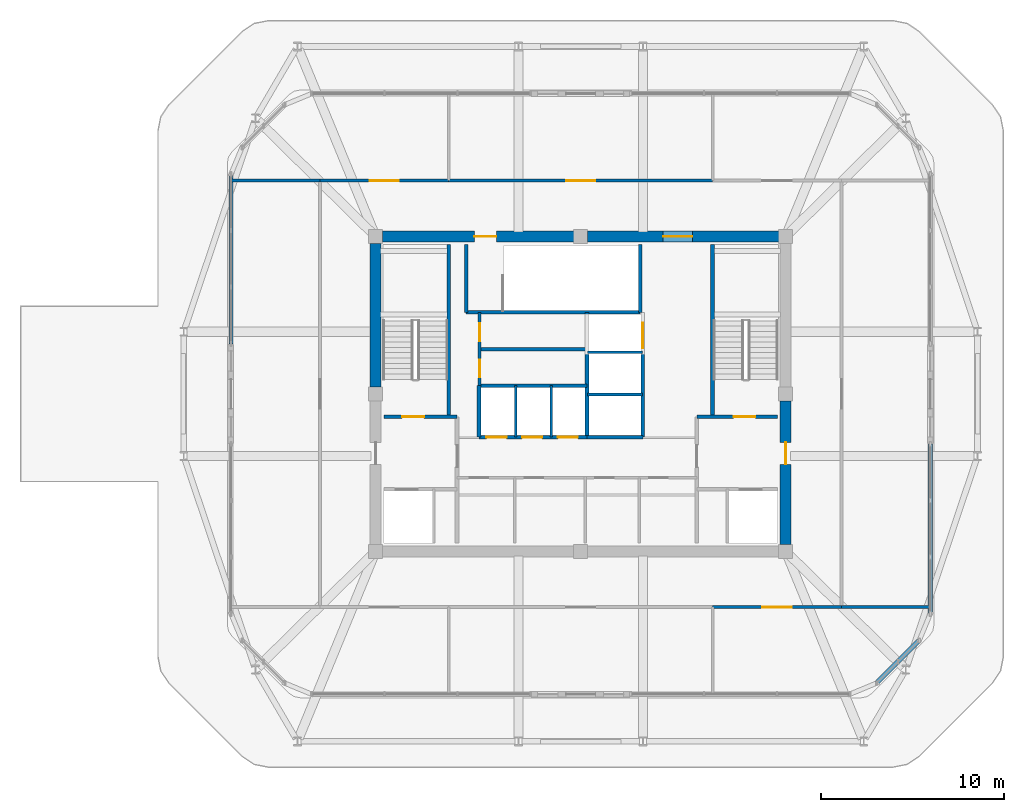
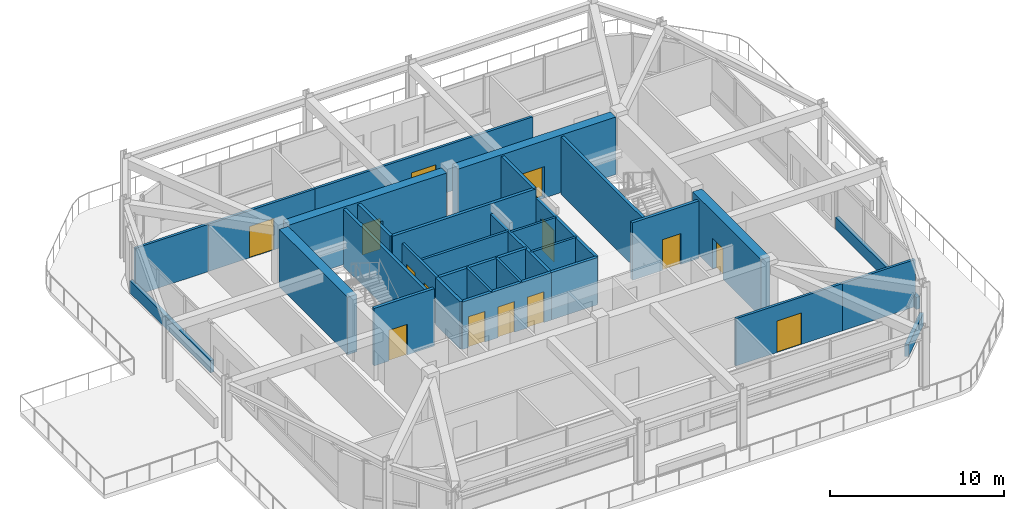
# One storey, part 6 of 10: 31 walls, 14 doors, 14 openings.
"""IFC4 building model written with IfcOpenShell, lengths in metres."""

from ifc_helpers import new_model, si_unit, derived_unit, direction, frame, frame_2d, origin, place, context, subcontext, project, spatial, rectangle, extrude, material, layer, layer_set, type_object, element, fill, save


model = new_model("IFC4")

# Units and contexts
model_context = context("Model", 3, precision=1e-05, world=origin(), true_north=direction((0.0, 1.0)))
body_context = subcontext(model_context, "Body", "Model", "MODEL_VIEW")
ifc_project = project(units=[si_unit("LENGTHUNIT", "METRE"), si_unit("AREAUNIT", "SQUARE_METRE"), si_unit("VOLUMEUNIT", "CUBIC_METRE"), si_unit("PLANEANGLEUNIT", "RADIAN"), si_unit("MASSUNIT", "GRAM", prefix="KILO"), derived_unit("THERMALTRANSMITTANCEUNIT", [(si_unit("POWERUNIT", "WATT"), 1), (si_unit("LENGTHUNIT", "METRE"), -2), (si_unit("THERMODYNAMICTEMPERATUREUNIT", "KELVIN"), -1)])], contexts=[model_context])

# Site, building, storey
site_placement = place(None, origin())
site = spatial("IfcSite", under=ifc_project, at=site_placement, CompositionType="ELEMENT")
building_placement = place(site_placement, origin())
building = spatial("IfcBuilding", under=site, at=building_placement, Name="Koralith Skygarden Medical Center", CompositionType="ELEMENT")
storey_placement = place(building_placement, frame((0.0, 0.0, 294.659912109375)))
storey = spatial("IfcBuildingStorey", under=building, at=storey_placement, Name="L76", CompositionType="ELEMENT", Elevation=294.659912109375)

# Walls
ifc_material_1 = material(Name="Gypsum Board Partition")
ifc_layer_1 = layer(ifc_material_1, 0.1650390625)
ifc_layer_set_1 = layer_set([ifc_layer_1], Name="Gypsum Board Partition")
wall_type_1 = type_object("IfcWallType", Name="Clinical Corridor Partition 165", PredefinedType="PARTITIONING", material=ifc_layer_set_1)
for number, where, z_axis, x_axis, name in (
    (1, (17.919921875, 37.550048828125, 0.0), (0.0, 0.0, 1.0), (1.0, 0.0, 0.0), "L76 Clinical Corridor Partition 165 W-WB-L76-NW"),
    (2, (51.25, 14.25, 0.0), (0.0, 0.0, 1.0), (1.0, 0.0, 0.0), "L76 Clinical Corridor Partition 165 W-WB-L76-SE"),
):
    element("IfcWall", number, at=place(storey_placement, frame(where, z_axis=z_axis, x_axis=x_axis)), inside=storey, type_object=wall_type_1, Name=name, PredefinedType="PARTITIONING", context=body_context, shape_type="SweptSolid", body=[
        extrude(rectangle(XDim=4.830078125, YDim=0.1650390625, at=frame_2d((2.4150390625, 0.0))), origin(), (0.0, 0.0, 1.0), 3.31005859375),
    ])

# Wall, opening, door
wall_1_placement = place(storey_placement, frame((22.75, 37.550048828125, 0.0), z_axis=(0.0, 0.0, 1.0), x_axis=(1.0, 0.0, 0.0)))
wall_1 = element("IfcWall", 3, at=wall_1_placement, inside=storey, type_object=wall_type_1, Name="L76 Clinical Corridor Partition 165 W-CRCOR-L76-N-1", PredefinedType="PARTITIONING", context=body_context, shape_type="SweptSolid", body=[
    extrude(rectangle(XDim=7.0380859375, YDim=0.1650390625, at=frame_2d((3.51904296875, 0.0))), origin(), (0.0, 0.0, 1.0), 3.31005859375),
])
opening_1_placement = place(wall_1_placement, frame((2.718994140625, 0.0, 0.0)))
opening_1 = element("IfcOpeningElement", 4, at=opening_1_placement, cuts=wall_1, Name="Opening D-DBL", PredefinedType="OPENING", context=body_context, shape_type="SweptSolid", body=[
    extrude(rectangle(XDim=1.60009765625, YDim=2.199951171875, at=frame_2d((0.800048828125, 1.10009765625))), frame((0.0, 0.092529296875, 0.0), z_axis=(0.0, -1.0, 0.0), x_axis=(1.0, 0.0, 0.0)), (0.0, 0.0, 1.0), 0.18505859375),
])
ifc_material_2 = material(Name="Aluminium 6063-T6", Category="aluminium")
door_type_1 = type_object("IfcDoorType", Name="Double Clinical Suite Door D-DBL 1600", OperationType="NOTDEFINED", PredefinedType="DOOR", material=ifc_material_2)
door_1_placement = place(opening_1_placement, origin())
door_1 = element("IfcDoor", 5, at=door_1_placement, inside=storey, type_object=door_type_1, Name="L76 Observation Visitor Exhibition Gallery Door", OperationType="DOUBLE_DOOR_SINGLE_SWING", OverallHeight=2.199951171875, OverallWidth=1.60009765625, PredefinedType="DOOR", context=body_context, shape_type="SweptSolid", body=[
    extrude(rectangle(XDim=1.60009765625, YDim=2.199951171875, at=frame_2d((0.800048828125, 1.10009765625))), frame((0.0, 0.02490234375, 0.0), z_axis=(0.0, -1.0, 0.0), x_axis=(1.0, 0.0, 0.0)), (0.0, 0.0, 1.0), 0.050048828125),
])
fill(opening_1, door_1)

wall_2_placement = place(storey_placement, frame((29.7880859375, 37.550048828125, 0.0), z_axis=(0.0, 0.0, 1.0), x_axis=(1.0, 0.0, 0.0)))
wall_2 = element("IfcWall", 6, at=wall_2_placement, inside=storey, type_object=wall_type_1, Name="L76 Clinical Corridor Partition 165 W-CRCOR-L76-N-2", PredefinedType="PARTITIONING", context=body_context, shape_type="SweptSolid", body=[
    extrude(rectangle(XDim=14.423828125, YDim=0.1650390625, at=frame_2d((7.2119140625, 0.0))), origin(), (0.0, 0.0, 1.0), 3.31005859375),
])
opening_2_placement = place(wall_2_placement, frame((6.412109375, 0.0, 0.0)))
opening_2 = element("IfcOpeningElement", 7, at=opening_2_placement, cuts=wall_2, Name="Opening D-DBL", PredefinedType="OPENING", context=body_context, shape_type="SweptSolid", body=[
    extrude(rectangle(XDim=1.60009765625, YDim=2.199951171875, at=frame_2d((0.800048828125, 1.10009765625))), frame((0.0, 0.092529296875, 0.0), z_axis=(0.0, -1.0, 0.0), x_axis=(1.0, 0.0, 0.0)), (0.0, 0.0, 1.0), 0.18505859375),
])
door_2_placement = place(opening_2_placement, origin())
door_2 = element("IfcDoor", 8, at=door_2_placement, inside=storey, type_object=door_type_1, Name="L76 Sky Conservatory Lounge Door", OperationType="DOUBLE_DOOR_SINGLE_SWING", OverallHeight=2.199951171875, OverallWidth=1.60009765625, PredefinedType="DOOR", context=body_context, shape_type="SweptSolid", body=[
    extrude(rectangle(XDim=1.60009765625, YDim=2.199951171875, at=frame_2d((0.800048828125, 1.10009765625))), frame((0.0, 0.02490234375, 0.0), z_axis=(0.0, -1.0, 0.0), x_axis=(1.0, 0.0, 0.0)), (0.0, 0.0, 1.0), 0.050048828125),
])
fill(opening_2, door_2)

wall_3_placement = place(storey_placement, frame((44.2119140625, 14.25, 0.0), z_axis=(0.0, 0.0, 1.0), x_axis=(1.0, 0.0, 0.0)))
wall_3 = element("IfcWall", 9, at=wall_3_placement, inside=storey, type_object=wall_type_1, Name="L76 Clinical Corridor Partition 165 W-CRCOR-L76-S-3", PredefinedType="PARTITIONING", context=body_context, shape_type="SweptSolid", body=[
    extrude(rectangle(XDim=7.0380859375, YDim=0.1650390625, at=frame_2d((3.51904296875, 0.0))), origin(), (0.0, 0.0, 1.0), 3.31005859375),
])
opening_3_placement = place(wall_3_placement, frame((2.718994140625, 0.0, 0.0)))
opening_3 = element("IfcOpeningElement", 10, at=opening_3_placement, cuts=wall_3, Name="Opening D-DBL", PredefinedType="OPENING", context=body_context, shape_type="SweptSolid", body=[
    extrude(rectangle(XDim=1.60009765625, YDim=2.199951171875, at=frame_2d((0.800048828125, 1.10009765625))), frame((0.0, 0.092529296875, 0.0), z_axis=(0.0, -1.0, 0.0), x_axis=(1.0, 0.0, 0.0)), (0.0, 0.0, 1.0), 0.18505859375),
])
door_3_placement = place(opening_3_placement, frame((1.60009765625, 0.0, 0.0), z_axis=(0.0, 0.0, 1.0), x_axis=(-1.0, 0.0, 0.0)))
door_3 = element("IfcDoor", 11, at=door_3_placement, inside=storey, type_object=door_type_1, Name="L76 Public Accessible Restroom WC Door", OperationType="DOUBLE_DOOR_SINGLE_SWING", OverallHeight=2.199951171875, OverallWidth=1.60009765625, PredefinedType="DOOR", context=body_context, shape_type="SweptSolid", body=[
    extrude(rectangle(XDim=1.60009765625, YDim=2.199951171875, at=frame_2d((0.800048828125, 1.10009765625))), frame((0.0, 0.02490234375, 0.0), z_axis=(0.0, -1.0, 0.0), x_axis=(1.0, 0.0, 0.0)), (0.0, 0.0, 1.0), 0.050048828125),
])
fill(opening_3, door_3)

# Wall, openings, doors
ifc_layer_2 = layer(ifc_material_1, 0.199951171875)
ifc_layer_set_2 = layer_set([ifc_layer_2], Name="Gypsum Board Partition")
wall_type_2 = type_object("IfcWallType", Name="Fire Shaft Wall 200", PredefinedType="SOLIDWALL", material=ifc_layer_set_2)
wall_4_placement = place(storey_placement, frame((31.449951171875, 23.5400390625, 0.0), z_axis=(0.0, 0.0, 1.0), x_axis=(1.0, 0.0, 0.0)))
wall_4 = element("IfcWall", 12, at=wall_4_placement, inside=storey, type_object=wall_type_2, Name="L76 Fire Shaft Wall 200 W-CORE-L76-PH-S", PredefinedType="SOLIDWALL", context=body_context, shape_type="SweptSolid", body=[
    extrude(rectangle(XDim=5.900146484375, YDim=0.199951171875, at=frame_2d((2.9501953125, 0.0))), origin(), (0.0, 0.0, 1.0), 3.31005859375),
])
opening_4_placement = place(wall_4_placement, frame((0.39990234375, 0.0, 0.0)))
opening_4 = element("IfcOpeningElement", 13, at=opening_4_placement, cuts=wall_4, Name="Opening LD-P", PredefinedType="OPENING", context=body_context, shape_type="SweptSolid", body=[
    extrude(rectangle(XDim=1.10009765625, YDim=2.14990234375, at=frame_2d((0.550048828125, 1.074951171875))), frame((0.0, 0.10986328125, 0.0), z_axis=(0.0, -1.0, 0.0), x_axis=(1.0, 0.0, 0.0)), (0.0, 0.0, 1.0), 0.219970703125),
])
opening_5_placement = place(wall_4_placement, frame((2.35009765625, 0.0, 0.0)))
opening_5 = element("IfcOpeningElement", 14, at=opening_5_placement, cuts=wall_4, Name="Opening LD-P", PredefinedType="OPENING", context=body_context, shape_type="SweptSolid", body=[
    extrude(rectangle(XDim=1.10009765625, YDim=2.14990234375, at=frame_2d((0.550048828125, 1.074951171875))), frame((0.0, 0.10986328125, 0.0), z_axis=(0.0, -1.0, 0.0), x_axis=(1.0, 0.0, 0.0)), (0.0, 0.0, 1.0), 0.219970703125),
])
opening_6_placement = place(wall_4_placement, frame((4.300048828125, 0.0, 0.0)))
opening_6 = element("IfcOpeningElement", 15, at=opening_6_placement, cuts=wall_4, Name="Opening LD-P", PredefinedType="OPENING", context=body_context, shape_type="SweptSolid", body=[
    extrude(rectangle(XDim=1.10009765625, YDim=2.14990234375, at=frame_2d((0.550048828125, 1.074951171875))), frame((0.0, 0.10986328125, 0.0), z_axis=(0.0, -1.0, 0.0), x_axis=(1.0, 0.0, 0.0)), (0.0, 0.0, 1.0), 0.219970703125),
])
ifc_material_3 = material(Name="Steel ASTM A500 Grade C", Category="steel")
door_type_2 = type_object("IfcDoorType", Name="Passenger Lift Sliding Landing Door LD-P 1100", OperationType="NOTDEFINED", PredefinedType="DOOR", material=ifc_material_3)
door_4_placement = place(opening_4_placement, origin())
door_4 = element("IfcDoor", 16, at=door_4_placement, inside=storey, type_object=door_type_2, Name="L76 Passenger Elevator PH1 Landing Door", OperationType="SLIDING_TO_RIGHT", OverallHeight=2.14990234375, OverallWidth=1.10009765625, PredefinedType="DOOR", context=body_context, shape_type="SweptSolid", body=[
    extrude(rectangle(XDim=1.10009765625, YDim=2.14990234375, at=frame_2d((0.550048828125, 1.074951171875))), frame((0.0, 0.02490234375, 0.0), z_axis=(0.0, -1.0, 0.0), x_axis=(1.0, 0.0, 0.0)), (0.0, 0.0, 1.0), 0.050048828125),
])
fill(opening_4, door_4)
door_5_placement = place(opening_5_placement, origin())
door_5 = element("IfcDoor", 17, at=door_5_placement, inside=storey, type_object=door_type_2, Name="L76 Passenger Elevator PH2 Landing Door", OperationType="SLIDING_TO_RIGHT", OverallHeight=2.14990234375, OverallWidth=1.10009765625, PredefinedType="DOOR", context=body_context, shape_type="SweptSolid", body=[
    extrude(rectangle(XDim=1.10009765625, YDim=2.14990234375, at=frame_2d((0.550048828125, 1.074951171875))), frame((0.0, 0.02490234375, 0.0), z_axis=(0.0, -1.0, 0.0), x_axis=(1.0, 0.0, 0.0)), (0.0, 0.0, 1.0), 0.050048828125),
])
fill(opening_5, door_5)
door_6_placement = place(opening_6_placement, origin())
door_6 = element("IfcDoor", 18, at=door_6_placement, inside=storey, type_object=door_type_2, Name="L76 Passenger Elevator PH3 Landing Door", OperationType="SLIDING_TO_RIGHT", OverallHeight=2.14990234375, OverallWidth=1.10009765625, PredefinedType="DOOR", context=body_context, shape_type="SweptSolid", body=[
    extrude(rectangle(XDim=1.10009765625, YDim=2.14990234375, at=frame_2d((0.550048828125, 1.074951171875))), frame((0.0, 0.02490234375, 0.0), z_axis=(0.0, -1.0, 0.0), x_axis=(1.0, 0.0, 0.0)), (0.0, 0.0, 1.0), 0.050048828125),
])
fill(opening_6, door_6)

# Walls
wall_5_placement = place(storey_placement, frame((31.449951171875, 26.35009765625, 0.0), z_axis=(0.0, 0.0, 1.0), x_axis=(1.0, 0.0, 0.0)))
element("IfcWall", 19, at=wall_5_placement, inside=storey, type_object=wall_type_2, Name="L76 Fire Shaft Wall 200 W-CORE-L76-PH-N", PredefinedType="SOLIDWALL", context=body_context, shape_type="SweptSolid", body=[
    extrude(rectangle(XDim=5.900146484375, YDim=0.199951171875, at=frame_2d((2.9501953125, 0.0))), origin(), (0.0, 0.0, 1.0), 3.31005859375),
])
wall_6_placement = place(storey_placement, frame((31.449951171875, 23.5400390625, 0.0), z_axis=(0.0, 0.0, 1.0), x_axis=(0.0, 1.0, 0.0)))
element("IfcWall", 20, at=wall_6_placement, inside=storey, type_object=wall_type_2, Name="L76 Fire Shaft Wall 200 W-CORE-L76-PH-W", PredefinedType="SOLIDWALL", context=body_context, shape_type="SweptSolid", body=[
    extrude(rectangle(XDim=2.81005859375, YDim=0.199951171875, at=frame_2d((1.405029296875, 0.0))), origin(), (0.0, 0.0, 1.0), 3.31005859375),
])
wall_7_placement = place(storey_placement, frame((37.35009765625, 23.5400390625, 0.0), z_axis=(0.0, 0.0, 1.0), x_axis=(0.0, 1.0, 0.0)))
element("IfcWall", 21, at=wall_7_placement, inside=storey, type_object=wall_type_2, Name="L76 Fire Shaft Wall 200 W-CORE-L76-SV-W", PredefinedType="SOLIDWALL", context=body_context, shape_type="SweptSolid", body=[
    extrude(rectangle(XDim=6.820068359375, YDim=0.199951171875, at=frame_2d((3.41015625, 0.0))), origin(), (0.0, 0.0, 1.0), 3.31005859375),
])
wall_8_placement = place(storey_placement, frame((37.35009765625, 23.5400390625, 0.0), z_axis=(0.0, 0.0, 1.0), x_axis=(1.0, 0.0, 0.0)))
element("IfcWall", 22, at=wall_8_placement, inside=storey, type_object=wall_type_2, Name="L76 Fire Shaft Wall 200 W-CORE-L76-SV-S", PredefinedType="SOLIDWALL", context=body_context, shape_type="SweptSolid", body=[
    extrude(rectangle(XDim=3.0498046875, YDim=0.199951171875, at=frame_2d((1.52490234375, 0.0))), origin(), (0.0, 0.0, 1.0), 3.31005859375),
])

# Wall, opening, door
wall_9_placement = place(storey_placement, frame((40.39990234375, 23.5400390625, 0.0), z_axis=(0.0, 0.0, 1.0), x_axis=(0.0, 1.0, 0.0)))
wall_9 = element("IfcWall", 23, at=wall_9_placement, inside=storey, type_object=wall_type_2, Name="L76 Fire Shaft Wall 200 W-CORE-L76-SV-E", PredefinedType="SOLIDWALL", context=body_context, shape_type="SweptSolid", body=[
    extrude(rectangle(XDim=6.820068359375, YDim=0.199951171875, at=frame_2d((3.41015625, 0.0))), origin(), (0.0, 0.0, 1.0), 3.31005859375),
])
opening_7_placement = place(wall_9_placement, frame((4.85009765625, 0.0, 0.0)))
opening_7 = element("IfcOpeningElement", 24, at=opening_7_placement, cuts=wall_9, Name="Opening LD-SV", PredefinedType="OPENING", context=body_context, shape_type="SweptSolid", body=[
    extrude(rectangle(XDim=1.39990234375, YDim=2.199951171875, at=frame_2d((0.699951171875, 1.10009765625))), frame((0.0, 0.10986328125, 0.0), z_axis=(0.0, -1.0, 0.0), x_axis=(1.0, 0.0, 0.0)), (0.0, 0.0, 1.0), 0.219970703125),
])
door_type_3 = type_object("IfcDoorType", Name="Bed Lift Sliding Landing Door LD-SV 1400", OperationType="NOTDEFINED", PredefinedType="DOOR", material=ifc_material_3)
door_7_placement = place(opening_7_placement, origin())
door_7 = element("IfcDoor", 25, at=door_7_placement, inside=storey, type_object=door_type_3, Name="L76 Trauma Elevator TR1 Landing Door", OperationType="SLIDING_TO_RIGHT", OverallHeight=2.199951171875, OverallWidth=1.39990234375, PredefinedType="DOOR", context=body_context, shape_type="SweptSolid", body=[
    extrude(rectangle(XDim=1.39990234375, YDim=2.199951171875, at=frame_2d((0.699951171875, 1.10009765625))), frame((0.0, 0.02490234375, 0.0), z_axis=(0.0, -1.0, 0.0), x_axis=(1.0, 0.0, 0.0)), (0.0, 0.0, 1.0), 0.050048828125),
])
fill(opening_7, door_7)

# Walls
ifc_material_4 = material(Name="Warm Oolitic Limestone Cladding", Category="masonry")
ifc_layer_3 = layer(ifc_material_4, 0.239990234375)
ifc_layer_set_3 = layer_set([ifc_layer_3], Name="Warm Oolitic Limestone Cladding")
wall_type_3 = type_object("IfcWallType", Name="Limestone Spandrel Sill Backup Wall 240", PredefinedType="SOLIDWALL", material=ifc_layer_set_3)
wall_10_placement = place(storey_placement, frame((53.157958984375, 10.10107421875, 0.0), z_axis=(0.0, 0.0, 1.0), x_axis=(0.707143652874, 0.707069907577, 0.0)))
element("IfcWall", 26, at=wall_10_placement, inside=storey, type_object=wall_type_3, Name="L76 Sill Spandrel SE", PredefinedType="SOLIDWALL", context=body_context, shape_type="SweptSolid", body=[
    extrude(rectangle(XDim=3.310546875, YDim=0.239990234375, at=frame_2d((1.6552734375, 0.0))), origin(), (0.0, 0.0, 1.0), 0.85009765625),
])
wall_11_placement = place(storey_placement, frame((56.10009765625, 13.89306640625, 0.0), z_axis=(0.0, 0.0, 1.0), x_axis=(0.0, 1.0, 0.0)))
element("IfcWall", 27, at=wall_11_placement, inside=storey, type_object=wall_type_3, Name="L76 Sill Spandrel E-L", PredefinedType="SOLIDWALL", context=body_context, shape_type="SweptSolid", body=[
    extrude(rectangle(XDim=9.266845703125, YDim=0.239990234375, at=frame_2d((4.63330078125, 0.0))), origin(), (0.0, 0.0, 1.0), 0.85009765625),
])
wall_12_placement = place(storey_placement, frame((17.89990234375, 37.906982421875, 0.0), z_axis=(0.0, 0.0, 1.0), x_axis=(0.0, -1.0, 0.0)))
element("IfcWall", 28, at=wall_12_placement, inside=storey, type_object=wall_type_3, Name="L76 Sill Spandrel W-L", PredefinedType="SOLIDWALL", context=body_context, shape_type="SweptSolid", body=[
    extrude(rectangle(XDim=9.26708984375, YDim=0.239990234375, at=frame_2d((4.633544921875, 0.0))), origin(), (0.0, 0.0, 1.0), 0.85009765625),
])

# Wall, openings, doors
ifc_layer_4 = layer(ifc_material_1, 0.1650390625)
ifc_layer_set_4 = layer_set([ifc_layer_4], Name="Gypsum Board Partition")
wall_type_4 = type_object("IfcWallType", Name="Plumbing Wet Wall 165", PredefinedType="PLUMBINGWALL", material=ifc_layer_set_4)
wall_13_placement = place(storey_placement, frame((31.47998046875, 26.320068359375, 0.0), z_axis=(0.0, 0.0, 1.0), x_axis=(0.0, 1.0, 0.0)))
wall_13 = element("IfcWall", 29, at=wall_13_placement, inside=storey, type_object=wall_type_4, Name="L76 Plumbing Wet Wall 165 W-CORE-L76-FLEX-W", PredefinedType="PLUMBINGWALL", context=body_context, shape_type="SweptSolid", body=[
    extrude(rectangle(XDim=4.0400390625, YDim=0.1650390625, at=frame_2d((2.02001953125, 0.0))), origin(), (0.0, 0.0, 1.0), 3.31005859375),
])
opening_8_placement = place(wall_13_placement, frame((0.5, 0.0, 0.0)))
opening_8 = element("IfcOpeningElement", 30, at=opening_8_placement, cuts=wall_13, Name="Opening D-WC", PredefinedType="OPENING", context=body_context, shape_type="SweptSolid", body=[
    extrude(rectangle(XDim=0.949951171875, YDim=2.10009765625, at=frame_2d((0.47509765625, 1.050048828125))), frame((0.0, 0.092529296875, 0.0), z_axis=(0.0, -1.0, 0.0), x_axis=(1.0, 0.0, 0.0)), (0.0, 0.0, 1.0), 0.18505859375),
])
opening_9_placement = place(wall_13_placement, frame((2.449951171875, 0.0, 0.0)))
opening_9 = element("IfcOpeningElement", 31, at=opening_9_placement, cuts=wall_13, Name="Opening D-SUP", PredefinedType="OPENING", context=body_context, shape_type="SweptSolid", body=[
    extrude(rectangle(XDim=1.0, YDim=2.14990234375, at=frame_2d((0.5, 1.074951171875))), frame((0.0, 0.092529296875, 0.0), z_axis=(0.0, -1.0, 0.0), x_axis=(1.0, 0.0, 0.0)), (0.0, 0.0, 1.0), 0.18505859375),
])
door_type_4 = type_object("IfcDoorType", Name="Accessible Toilet Door D-WC 950", OperationType="NOTDEFINED", PredefinedType="DOOR", material=ifc_material_2)
door_8_placement = place(opening_8_placement, frame((0.949951171875, 0.0, 0.0), z_axis=(0.0, 0.0, 1.0), x_axis=(-1.0, 0.0, 0.0)))
door_8 = element("IfcDoor", 32, at=door_8_placement, inside=storey, type_object=door_type_4, Name="L76 Core Accessible WC Door", OperationType="SINGLE_SWING_LEFT", OverallHeight=2.10009765625, OverallWidth=0.949951171875, PredefinedType="DOOR", context=body_context, shape_type="SweptSolid", body=[
    extrude(rectangle(XDim=0.949951171875, YDim=2.10009765625, at=frame_2d((0.47509765625, 1.050048828125))), frame((0.0, 0.02490234375, 0.0), z_axis=(0.0, -1.0, 0.0), x_axis=(1.0, 0.0, 0.0)), (0.0, 0.0, 1.0), 0.050048828125),
])
fill(opening_8, door_8)
door_type_5 = type_object("IfcDoorType", Name="Clinical Support Door D-SUP 1000", OperationType="NOTDEFINED", PredefinedType="DOOR", material=ifc_material_2)
door_9_placement = place(opening_9_placement, frame((1.0, 0.0, 0.0), z_axis=(0.0, 0.0, 1.0), x_axis=(-1.0, 0.0, 0.0)))
door_9 = element("IfcDoor", 33, at=door_9_placement, inside=storey, type_object=door_type_5, Name="L76 Core Clean Utility Door", OperationType="SINGLE_SWING_RIGHT", OverallHeight=2.14990234375, OverallWidth=1.0, PredefinedType="DOOR", context=body_context, shape_type="SweptSolid", body=[
    extrude(rectangle(XDim=1.0, YDim=2.14990234375, at=frame_2d((0.5, 1.074951171875))), frame((0.0, 0.02490234375, 0.0), z_axis=(0.0, -1.0, 0.0), x_axis=(1.0, 0.0, 0.0)), (0.0, 0.0, 1.0), 0.050048828125),
])
fill(opening_9, door_9)

# Walls
wall_14_placement = place(storey_placement, frame((31.47998046875, 28.340087890625, 0.0), z_axis=(0.0, 0.0, 1.0), x_axis=(1.0, 0.0, 0.0)))
element("IfcWall", 34, at=wall_14_placement, inside=storey, type_object=wall_type_4, Name="L76 Plumbing Wet Wall 165 W-CORE-L76-FLEX-H0", PredefinedType="PLUMBINGWALL", context=body_context, shape_type="SweptSolid", body=[
    extrude(rectangle(XDim=5.8701171875, YDim=0.1650390625, at=frame_2d((2.93505859375, 0.0))), origin(), (0.0, 0.0, 1.0), 3.31005859375),
])
ifc_layer_5 = layer(ifc_material_1, 0.14990234375)
ifc_layer_set_5 = layer_set([ifc_layer_5], Name="Gypsum Board Partition")
wall_type_5 = type_object("IfcWallType", Name="Shaft Partition Wall 150", PredefinedType="PARTITIONING", material=ifc_layer_set_5)
for number, where, z_axis, x_axis, name in (
    (35, (33.449951171875, 23.5400390625, 0.0), (0.0, 0.0, 1.0), (0.0, 1.0, 0.0), "L76 Shaft Partition Wall 150 W-CORE-L76-PH-D1"),
    (36, (35.39990234375, 23.5400390625, 0.0), (0.0, 0.0, 1.0), (0.0, 1.0, 0.0), "L76 Shaft Partition Wall 150 W-CORE-L76-PH-D2"),
):
    element("IfcWall", number, at=place(storey_placement, frame(where, z_axis=z_axis, x_axis=x_axis)), inside=storey, type_object=wall_type_5, Name=name, PredefinedType="PARTITIONING", context=body_context, shape_type="SweptSolid", body=[
        extrude(rectangle(XDim=2.81005859375, YDim=0.14990234375, at=frame_2d((1.405029296875, 0.0))), origin(), (0.0, 0.0, 1.0), 3.31005859375),
    ])
for number, where, z_axis, x_axis, name in (
    (37, (37.3701171875, 25.8701171875, 0.0), (0.0, 0.0, 1.0), (1.0, 0.0, 0.0), "L76 Shaft Partition Wall 150 W-CORE-L76-SV-D1"),
    (38, (37.3701171875, 28.169921875, 0.0), (0.0, 0.0, 1.0), (1.0, 0.0, 0.0), "L76 Shaft Partition Wall 150 W-CORE-L76-SV-D2"),
):
    element("IfcWall", number, at=place(storey_placement, frame(where, z_axis=z_axis, x_axis=x_axis)), inside=storey, type_object=wall_type_5, Name=name, PredefinedType="PARTITIONING", context=body_context, shape_type="SweptSolid", body=[
        extrude(rectangle(XDim=3.009765625, YDim=0.14990234375, at=frame_2d((1.5048828125, 0.0))), origin(), (0.0, 0.0, 1.0), 3.31005859375),
    ])
ifc_material_5 = material(Name="Concrete C45/55", Category="concrete")
ifc_layer_6 = layer(ifc_material_5, 0.199951171875)
ifc_layer_set_6 = layer_set([ifc_layer_6], Name="Concrete C45/55")
wall_type_6 = type_object("IfcWallType", Name="Structural Stair Shaft Wall 200", PredefinedType="SHEAR", material=ifc_layer_set_6)
wall_15_placement = place(storey_placement, frame((29.800048828125, 24.64990234375, 0.0), z_axis=(0.0, 0.0, 1.0), x_axis=(0.0, 1.0, 0.0)))
element("IfcWall", 39, at=wall_15_placement, inside=storey, type_object=wall_type_6, Name="L76 Structural Stair Shaft Wall 200 W-CORE-L76-ST1-E", PredefinedType="SHEAR", context=body_context, shape_type="SweptSolid", body=[
    extrude(rectangle(XDim=9.400146484375, YDim=0.199951171875, at=frame_2d((4.7001953125, 0.0))), origin(), (0.0, 0.0, 1.0), 4.02001953125),
])

# Wall, opening, door
wall_16_placement = place(storey_placement, frame((26.25, 24.64990234375, 0.0), z_axis=(0.0, 0.0, 1.0), x_axis=(1.0, 0.0, 0.0)))
wall_16 = element("IfcWall", 40, at=wall_16_placement, inside=storey, type_object=wall_type_6, Name="L76 Structural Stair Shaft Wall 200 W-CORE-L76-ST1-S", PredefinedType="SHEAR", context=body_context, shape_type="SweptSolid", body=[
    extrude(rectangle(XDim=4.0, YDim=0.199951171875, at=frame_2d((2.0, 0.0))), origin(), (0.0, 0.0, 1.0), 4.02001953125),
])
opening_10_placement = place(wall_16_placement, frame((1.0, 0.0, 0.0)))
opening_10 = element("IfcOpeningElement", 41, at=opening_10_placement, cuts=wall_16, Name="Opening D-ST60", PredefinedType="OPENING", context=body_context, shape_type="SweptSolid", body=[
    extrude(rectangle(XDim=1.199951171875, YDim=2.14990234375, at=frame_2d((0.60009765625, 1.074951171875))), frame((0.0, 0.10986328125, 0.0), z_axis=(0.0, -1.0, 0.0), x_axis=(1.0, 0.0, 0.0)), (0.0, 0.0, 1.0), 0.219970703125),
])
door_type_6 = type_object("IfcDoorType", Name="Smokeproof Stair Fire Door FD60S 1200", OperationType="NOTDEFINED", PredefinedType="DOOR", material=ifc_material_3)
door_10_placement = place(opening_10_placement, origin())
door_10 = element("IfcDoor", 42, at=door_10_placement, inside=storey, type_object=door_type_6, Name="L76 Exit Stair ST1 Fire Door", OperationType="SINGLE_SWING_LEFT", OverallHeight=2.14990234375, OverallWidth=1.199951171875, PredefinedType="DOOR", context=body_context, shape_type="SweptSolid", body=[
    extrude(rectangle(XDim=1.199951171875, YDim=2.14990234375, at=frame_2d((0.60009765625, 1.074951171875))), frame((0.0, 0.02490234375, 0.0), z_axis=(0.0, -1.0, 0.0), x_axis=(1.0, 0.0, 0.0)), (0.0, 0.0, 1.0), 0.050048828125),
])
fill(opening_10, door_10)

# Wall
wall_17_placement = place(storey_placement, frame((44.199951171875, 24.64990234375, 0.0), z_axis=(0.0, 0.0, 1.0), x_axis=(0.0, 1.0, 0.0)))
element("IfcWall", 43, at=wall_17_placement, inside=storey, type_object=wall_type_6, Name="L76 Structural Stair Shaft Wall 200 W-CORE-L76-ST2-W", PredefinedType="SHEAR", context=body_context, shape_type="SweptSolid", body=[
    extrude(rectangle(XDim=9.400146484375, YDim=0.199951171875, at=frame_2d((4.7001953125, 0.0))), origin(), (0.0, 0.0, 1.0), 4.02001953125),
])

# Wall, opening, door
wall_18_placement = place(storey_placement, frame((43.35009765625, 24.64990234375, 0.0), z_axis=(0.0, 0.0, 1.0), x_axis=(1.0, 0.0, 0.0)))
wall_18 = element("IfcWall", 44, at=wall_18_placement, inside=storey, type_object=wall_type_6, Name="L76 Structural Stair Shaft Wall 200 W-CORE-L76-ST2-S", PredefinedType="SHEAR", context=body_context, shape_type="SweptSolid", body=[
    extrude(rectangle(XDim=4.39990234375, YDim=0.199951171875, at=frame_2d((2.199951171875, 0.0))), origin(), (0.0, 0.0, 1.0), 4.02001953125),
])
opening_11_placement = place(wall_18_placement, frame((2.0, 0.0, 0.0)))
opening_11 = element("IfcOpeningElement", 45, at=opening_11_placement, cuts=wall_18, Name="Opening D-ST60", PredefinedType="OPENING", context=body_context, shape_type="SweptSolid", body=[
    extrude(rectangle(XDim=1.199951171875, YDim=2.14990234375, at=frame_2d((0.60009765625, 1.074951171875))), frame((0.0, 0.10986328125, 0.0), z_axis=(0.0, -1.0, 0.0), x_axis=(1.0, 0.0, 0.0)), (0.0, 0.0, 1.0), 0.219970703125),
])
door_11_placement = place(opening_11_placement, origin())
door_11 = element("IfcDoor", 46, at=door_11_placement, inside=storey, type_object=door_type_6, Name="L76 Exit Stair ST2 Fire Door", OperationType="SINGLE_SWING_RIGHT", OverallHeight=2.14990234375, OverallWidth=1.199951171875, PredefinedType="DOOR", context=body_context, shape_type="SweptSolid", body=[
    extrude(rectangle(XDim=1.199951171875, YDim=2.14990234375, at=frame_2d((0.60009765625, 1.074951171875))), frame((0.0, 0.02490234375, 0.0), z_axis=(0.0, -1.0, 0.0), x_axis=(1.0, 0.0, 0.0)), (0.0, 0.0, 1.0), 0.050048828125),
])
fill(opening_11, door_11)

# Walls
wall_19_placement = place(storey_placement, frame((30.75, 30.360107421875, 0.0), z_axis=(0.0, 0.0, 1.0), x_axis=(1.0, 0.0, 0.0)))
element("IfcWall", 47, at=wall_19_placement, inside=storey, type_object=wall_type_6, Name="L76 Structural Stair Shaft Wall 200 W-CORE-L76-ST3-S", PredefinedType="SHEAR", context=body_context, shape_type="SweptSolid", body=[
    extrude(rectangle(XDim=9.5, YDim=0.199951171875, at=frame_2d((4.75, 0.0))), origin(), (0.0, 0.0, 1.0), 4.02001953125),
])
for number, where, z_axis, x_axis, name in (
    (48, (30.75, 30.360107421875, 0.0), (0.0, 0.0, 1.0), (0.0, 1.0, 0.0), "L76 Structural Stair Shaft Wall 200 W-CORE-L76-ST3-W"),
    (49, (40.25, 30.360107421875, 0.0), (0.0, 0.0, 1.0), (0.0, 1.0, 0.0), "L76 Structural Stair Shaft Wall 200 W-CORE-L76-ST3-E"),
):
    element("IfcWall", number, at=place(storey_placement, frame(where, z_axis=z_axis, x_axis=x_axis)), inside=storey, type_object=wall_type_6, Name=name, PredefinedType="SHEAR", context=body_context, shape_type="SweptSolid", body=[
        extrude(rectangle(XDim=3.68994140625, YDim=0.199951171875, at=frame_2d((1.844970703125, 0.0))), origin(), (0.0, 0.0, 1.0), 4.02001953125),
    ])

# Wall, opening, door
ifc_material_6 = material(Name="Concrete C55/67", Category="concrete")
ifc_layer_7 = layer(ifc_material_6, 0.60009765625)
ifc_layer_set_7 = layer_set([ifc_layer_7], Name="Concrete C55/67")
wall_type_7 = type_object("IfcWallType", Name="Upper Core Shear Wall 600", PredefinedType="SHEAR", material=ifc_layer_set_7)
wall_20_placement = place(storey_placement, frame((48.199951171875, 17.675048828125, 0.0), z_axis=(0.0, 0.0, 1.0), x_axis=(0.0, 1.0, 0.0)))
wall_20 = element("IfcWall", 50, at=wall_20_placement, inside=storey, type_object=wall_type_7, Name="L76 Core Shear Wall Segment 3", PredefinedType="SHEAR", context=body_context, shape_type="SweptSolid", body=[
    extrude(rectangle(XDim=7.849853515625, YDim=0.60009765625, at=frame_2d((3.9248046875, 0.0))), origin(), (0.0, 0.0, 1.0), 4.02001953125),
])
opening_12_placement = place(wall_20_placement, frame((4.375, 0.0, 0.0)))
opening_12 = element("IfcOpeningElement", 51, at=opening_12_placement, cuts=wall_20, Name="Opening D-ST60", PredefinedType="OPENING", context=body_context, shape_type="SweptSolid", body=[
    extrude(rectangle(XDim=1.199951171875, YDim=2.14990234375, at=frame_2d((0.60009765625, 1.074951171875))), frame((0.0, 0.31005859375, 0.0), z_axis=(0.0, -1.0, 0.0), x_axis=(1.0, 0.0, 0.0)), (0.0, 0.0, 1.0), 0.6201171875),
])
door_12_placement = place(opening_12_placement, frame((1.199951171875, 0.0, 0.0), z_axis=(0.0, 0.0, 1.0), x_axis=(-1.0, 0.0, 0.0)))
door_12 = element("IfcDoor", 52, at=door_12_placement, inside=storey, type_object=door_type_6, Name="L76 East Corridor to Firefighting Lobby Door", OperationType="SINGLE_SWING_RIGHT", OverallHeight=2.14990234375, OverallWidth=1.199951171875, PredefinedType="DOOR", context=body_context, shape_type="SweptSolid", body=[
    extrude(rectangle(XDim=1.199951171875, YDim=2.14990234375, at=frame_2d((0.60009765625, 1.074951171875))), frame((0.0, 0.02490234375, 0.0), z_axis=(0.0, -1.0, 0.0), x_axis=(1.0, 0.0, 0.0)), (0.0, 0.0, 1.0), 0.050048828125),
])
fill(opening_12, door_12)

wall_21_placement = place(storey_placement, frame((47.824951171875, 34.5, 0.0), z_axis=(0.0, 0.0, 1.0), x_axis=(-1.0, 0.0, 0.0)))
wall_21 = element("IfcWall", 53, at=wall_21_placement, inside=storey, type_object=wall_type_7, Name="L76 Core Shear Wall Segment 5", PredefinedType="SHEAR", context=body_context, shape_type="SweptSolid", body=[
    extrude(rectangle(XDim=10.449951171875, YDim=0.60009765625, at=frame_2d((5.22509765625, 0.0))), origin(), (0.0, 0.0, 1.0), 4.02001953125),
])
opening_13_placement = place(wall_21_placement, frame((4.72509765625, 0.0, 0.0)))
opening_13 = element("IfcOpeningElement", 54, at=opening_13_placement, cuts=wall_21, Name="Opening D-DBL", PredefinedType="OPENING", context=body_context, shape_type="SweptSolid", body=[
    extrude(rectangle(XDim=1.60009765625, YDim=2.199951171875, at=frame_2d((0.800048828125, 1.10009765625))), frame((0.0, 0.31005859375, 0.0), z_axis=(0.0, -1.0, 0.0), x_axis=(1.0, 0.0, 0.0)), (0.0, 0.0, 1.0), 0.6201171875),
])
door_13_placement = place(opening_13_placement, frame((1.60009765625, 0.0, 0.0), z_axis=(0.0, 0.0, 1.0), x_axis=(-1.0, 0.0, 0.0)))
door_13 = element("IfcDoor", 55, at=door_13_placement, inside=storey, type_object=door_type_1, Name="L76 North-East Corridor to Elevator Lobby Door", OperationType="DOUBLE_DOOR_SINGLE_SWING", OverallHeight=2.199951171875, OverallWidth=1.60009765625, PredefinedType="DOOR", context=body_context, shape_type="SweptSolid", body=[
    extrude(rectangle(XDim=1.60009765625, YDim=2.199951171875, at=frame_2d((0.800048828125, 1.10009765625))), frame((0.0, 0.02490234375, 0.0), z_axis=(0.0, -1.0, 0.0), x_axis=(1.0, 0.0, 0.0)), (0.0, 0.0, 1.0), 0.050048828125),
])
fill(opening_13, door_13)

wall_22_placement = place(storey_placement, frame((36.625, 34.5, 0.0), z_axis=(0.0, 0.0, 1.0), x_axis=(-1.0, 0.0, 0.0)))
wall_22 = element("IfcWall", 56, at=wall_22_placement, inside=storey, type_object=wall_type_7, Name="L76 Core Shear Wall Segment 6", PredefinedType="SHEAR", context=body_context, shape_type="SweptSolid", body=[
    extrude(rectangle(XDim=10.449951171875, YDim=0.60009765625, at=frame_2d((5.22509765625, 0.0))), origin(), (0.0, 0.0, 1.0), 4.02001953125),
])
opening_14_placement = place(wall_22_placement, frame((4.22509765625, 0.0, 0.0)))
opening_14 = element("IfcOpeningElement", 57, at=opening_14_placement, cuts=wall_22, Name="Opening D-ST60", PredefinedType="OPENING", context=body_context, shape_type="SweptSolid", body=[
    extrude(rectangle(XDim=1.199951171875, YDim=2.14990234375, at=frame_2d((0.60009765625, 1.074951171875))), frame((0.0, 0.31005859375, 0.0), z_axis=(0.0, -1.0, 0.0), x_axis=(1.0, 0.0, 0.0)), (0.0, 0.0, 1.0), 0.6201171875),
])
door_14_placement = place(opening_14_placement, frame((1.199951171875, 0.0, 0.0), z_axis=(0.0, 0.0, 1.0), x_axis=(-1.0, 0.0, 0.0)))
door_14 = element("IfcDoor", 58, at=door_14_placement, inside=storey, type_object=door_type_6, Name="L76 Exit Stair ST3 Fire Door", OperationType="SINGLE_SWING_LEFT", OverallHeight=2.14990234375, OverallWidth=1.199951171875, PredefinedType="DOOR", context=body_context, shape_type="SweptSolid", body=[
    extrude(rectangle(XDim=1.199951171875, YDim=2.14990234375, at=frame_2d((0.60009765625, 1.074951171875))), frame((0.0, 0.02490234375, 0.0), z_axis=(0.0, -1.0, 0.0), x_axis=(1.0, 0.0, 0.0)), (0.0, 0.0, 1.0), 0.050048828125),
])
fill(opening_14, door_14)

# Wall
wall_23_placement = place(storey_placement, frame((25.800048828125, 34.125, 0.0), z_axis=(0.0, 0.0, 1.0), x_axis=(0.0, -1.0, 0.0)))
element("IfcWall", 59, at=wall_23_placement, inside=storey, type_object=wall_type_7, Name="L76 Core Shear Wall Segment 7", PredefinedType="SHEAR", context=body_context, shape_type="SweptSolid", body=[
    extrude(rectangle(XDim=7.85009765625, YDim=0.60009765625, at=frame_2d((3.925048828125, 0.0))), origin(), (0.0, 0.0, 1.0), 4.02001953125),
])

save(model, "model.ifc")
